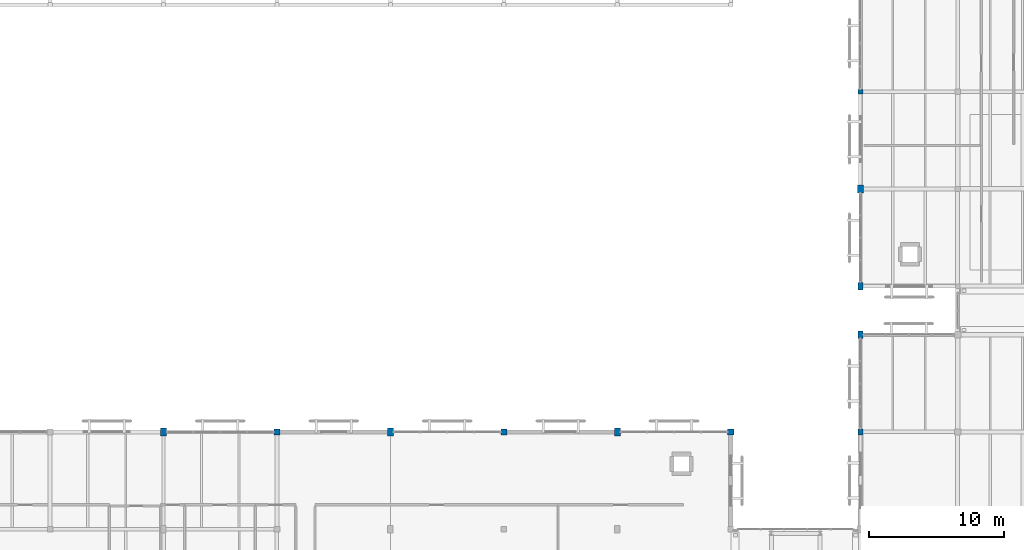
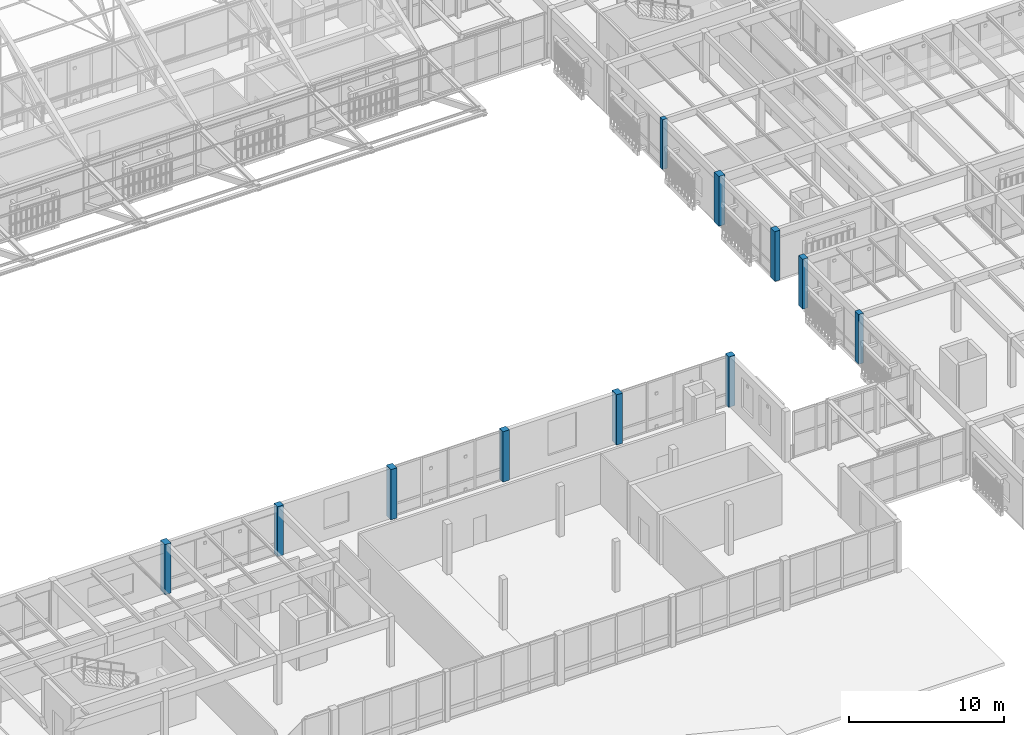
# One storey, part 6 of 217: 11 columns.
"""IFC4 building model written with IfcOpenShell, lengths in metres."""

from ifc_helpers import new_model, si_unit, direction, frame, origin, origin_2d, place, context, subcontext, project, spatial, rectangle, extrude, material, material_profile, profile_set, type_object, element, save


model = new_model("IFC4")

# Units and contexts
model_context = context("Model", 3, precision=1e-05, world=origin(), true_north=direction((0.0, 1.0)))
body_context = subcontext(model_context, "Body", "Model", "MODEL_VIEW")
ifc_project = project(units=[si_unit("LENGTHUNIT", "METRE"), si_unit("AREAUNIT", "SQUARE_METRE"), si_unit("VOLUMEUNIT", "CUBIC_METRE"), si_unit("PLANEANGLEUNIT", "RADIAN"), si_unit("MASSUNIT", "GRAM", prefix="KILO")], contexts=[model_context])

# Site, building, storey
site_placement = place(None, origin())
site = spatial("IfcSite", under=ifc_project, at=site_placement, CompositionType="ELEMENT")
building_placement = place(site_placement, origin())
building = spatial("IfcBuilding", under=site, at=building_placement, Name="Mazaris Harbour Polytechnic", CompositionType="ELEMENT")
storey_placement = place(building_placement, frame((0.0, 0.0, 9.60009765625)))
storey = spatial("IfcBuildingStorey", under=building, at=storey_placement, Name="L02", CompositionType="ELEMENT", Elevation=9.60009765625)

# Columns
ifc_material_1 = material(Name="Glulam GL28h", Category="wood")
ifc_material_profile_1 = material_profile(ifc_material_1, rectangle(XDim=0.340087890625, YDim=0.340087890625, at=origin_2d()), Name="RECT340x340")
ifc_profile_set_1 = profile_set([ifc_material_profile_1], Name="Glulam GL28h")
column_type_1 = type_object("IfcColumnType", Name="Glulam Column 340x340 Exterior", PredefinedType="COLUMN", material=ifc_profile_set_1)
column_1_placement = place(storey_placement, frame((122.39990234375, 61.199951171875, 0.0), z_axis=(0.0, 0.0, 1.0), x_axis=(1.0, 0.0, 0.0)))
element("IfcColumn", 1, at=column_1_placement, inside=storey, type_object=column_type_1, Name="V5 L02 Column 1328", PredefinedType="COLUMN", context=body_context, shape_type="SweptSolid", body=[
    extrude(rectangle(XDim=0.340087890625, YDim=0.340087890625, at=origin_2d()), origin(), (0.0, 0.0, 1.0), 3.919921875),
])
ifc_material_2 = material(Name="Glulam GL28h", Category="wood")
ifc_material_profile_2 = material_profile(ifc_material_2, rectangle(XDim=0.360107421875, YDim=0.47998046875, at=origin_2d()), Name="RECT360x480")
ifc_profile_set_2 = profile_set([ifc_material_profile_2], Name="Glulam GL28h")
column_type_2 = type_object("IfcColumnType", Name="Glulam Column 360x480 Exterior", PredefinedType="COLUMN", material=ifc_profile_set_2)
column_2_placement = place(storey_placement, frame((122.39990234375, 36.0, 0.0), z_axis=(0.0, 0.0, 1.0), x_axis=(1.0, 0.0, 0.0)))
element("IfcColumn", 2, at=column_2_placement, inside=storey, type_object=column_type_2, Name="V2 L02 Column 309", PredefinedType="COLUMN", context=body_context, shape_type="SweptSolid", body=[
    extrude(rectangle(XDim=0.360107421875, YDim=0.47998046875, at=origin_2d()), origin(), (0.0, 0.0, 1.0), 3.919921875),
])
ifc_material_3 = material(Name="Glulam GL28h", Category="wood")
ifc_material_profile_3 = material_profile(ifc_material_3, rectangle(XDim=0.39990234375, YDim=0.5400390625, at=origin_2d()), Name="RECT400x540")
ifc_profile_set_3 = profile_set([ifc_material_profile_3], Name="Glulam GL28h")
column_type_3 = type_object("IfcColumnType", Name="Glulam Column 400x540 Exterior", PredefinedType="COLUMN", material=ifc_profile_set_3)
for number, where, z_axis, x_axis, name in (
    (3, (122.39990234375, 43.199951171875, 0.0), (0.0, 0.0, 1.0), (1.0, 0.0, 0.0), "V2 L02 Column 310"),
    (4, (122.39990234375, 46.800048828125, 0.0), (0.0, 0.0, 1.0), (1.0, 0.0, 0.0), "V5 L02 Column 1326"),
):
    element("IfcColumn", number, at=place(storey_placement, frame(where, z_axis=z_axis, x_axis=x_axis)), inside=storey, type_object=column_type_3, Name=name, PredefinedType="COLUMN", context=body_context, shape_type="SweptSolid", body=[
        extrude(rectangle(XDim=0.39990234375, YDim=0.5400390625, at=origin_2d()), origin(), (0.0, 0.0, 1.0), 3.919921875),
    ])
ifc_material_4 = material(Name="Glulam GL28h", Category="wood")
ifc_material_profile_4 = material_profile(ifc_material_4, rectangle(XDim=0.43994140625, YDim=0.60009765625, at=origin_2d()), Name="RECT440x600")
ifc_profile_set_4 = profile_set([ifc_material_profile_4], Name="Glulam GL28h")
column_type_4 = type_object("IfcColumnType", Name="Glulam Column 440x600 Exterior", PredefinedType="COLUMN", material=ifc_profile_set_4)
column_3_placement = place(storey_placement, frame((70.800048828125, 36.0, 0.0), z_axis=(0.0, 0.0, 1.0), x_axis=(1.0, 0.0, 0.0)))
element("IfcColumn", 5, at=column_3_placement, inside=storey, type_object=column_type_4, Name="V3 L02 Column 519", PredefinedType="COLUMN", context=body_context, shape_type="SweptSolid", body=[
    extrude(rectangle(XDim=0.43994140625, YDim=0.60009765625, at=origin_2d()), origin(), (0.0, 0.0, 1.0), 3.934814453125),
])
for number, where, z_axis, x_axis, name in (
    (6, (87.60009765625, 36.0, 0.0), (0.0, 0.0, 1.0), (1.0, 0.0, 0.0), "V3 L02 Column 527"),
    (7, (104.39990234375, 36.0, 0.0), (0.0, 0.0, 1.0), (1.0, 0.0, 0.0), "V3 L02 Column 535"),
):
    element("IfcColumn", number, at=place(storey_placement, frame(where, z_axis=z_axis, x_axis=x_axis)), inside=storey, type_object=column_type_4, Name=name, PredefinedType="COLUMN", context=body_context, shape_type="SweptSolid", body=[
        extrude(rectangle(XDim=0.43994140625, YDim=0.60009765625, at=origin_2d()), origin(), (0.0, 0.0, 1.0), 3.9599609375),
    ])
column_4_placement = place(storey_placement, frame((122.39990234375, 54.0, 0.0), z_axis=(0.0, 0.0, 1.0), x_axis=(1.0, 0.0, 0.0)))
element("IfcColumn", 8, at=column_4_placement, inside=storey, type_object=column_type_4, Name="V5 L02 Column 1327", PredefinedType="COLUMN", context=body_context, shape_type="SweptSolid", body=[
    extrude(rectangle(XDim=0.43994140625, YDim=0.60009765625, at=origin_2d()), origin(), (0.0, 0.0, 1.0), 3.919921875),
])
ifc_material_5 = material(Name="Glulam GL28h", Category="wood")
ifc_material_profile_5 = material_profile(ifc_material_5, rectangle(XDim=0.4599609375, YDim=0.4599609375, at=origin_2d()), Name="RECT460x460")
ifc_profile_set_5 = profile_set([ifc_material_profile_5], Name="Glulam GL28h")
column_type_5 = type_object("IfcColumnType", Name="Glulam Column 460x460 Exterior", PredefinedType="COLUMN", material=ifc_profile_set_5)
column_5_placement = place(storey_placement, frame((79.199951171875, 36.0, 0.0), z_axis=(0.0, 0.0, 1.0), x_axis=(1.0, 0.0, 0.0)))
element("IfcColumn", 9, at=column_5_placement, inside=storey, type_object=column_type_5, Name="V3 L02 Column 523", PredefinedType="COLUMN", context=body_context, shape_type="SweptSolid", body=[
    extrude(rectangle(XDim=0.4599609375, YDim=0.4599609375, at=origin_2d()), origin(), (0.0, 0.0, 1.0), 3.934814453125),
])
for number, where, z_axis, x_axis, name in (
    (10, (96.0, 36.0, 0.0), (0.0, 0.0, 1.0), (1.0, 0.0, 0.0), "V3 L02 Column 531"),
    (11, (112.800048828125, 36.0, 0.0), (0.0, 0.0, 1.0), (1.0, 0.0, 0.0), "V3 L02 Column 539"),
):
    element("IfcColumn", number, at=place(storey_placement, frame(where, z_axis=z_axis, x_axis=x_axis)), inside=storey, type_object=column_type_5, Name=name, PredefinedType="COLUMN", context=body_context, shape_type="SweptSolid", body=[
        extrude(rectangle(XDim=0.4599609375, YDim=0.4599609375, at=origin_2d()), origin(), (0.0, 0.0, 1.0), 3.9599609375),
    ])

save(model, "model.ifc")
